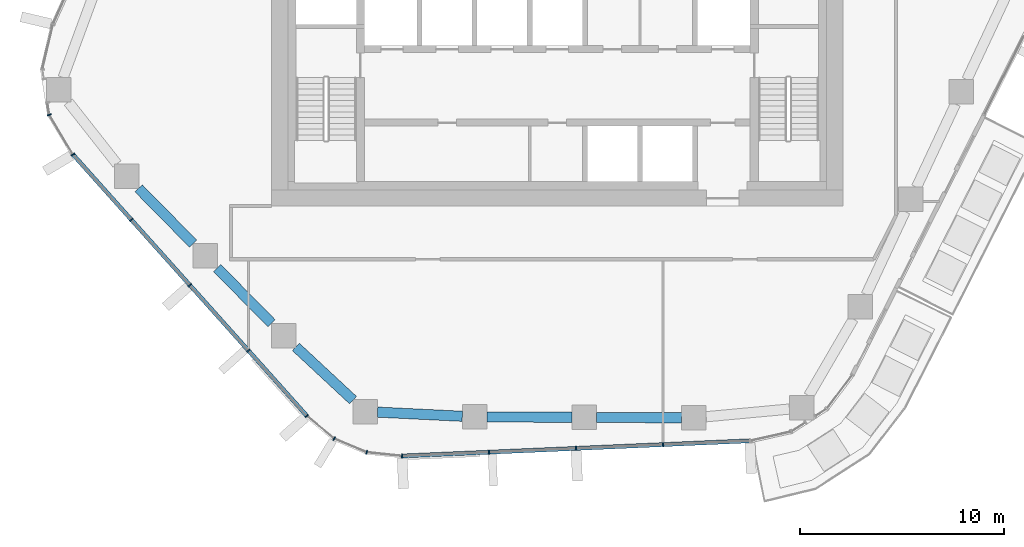
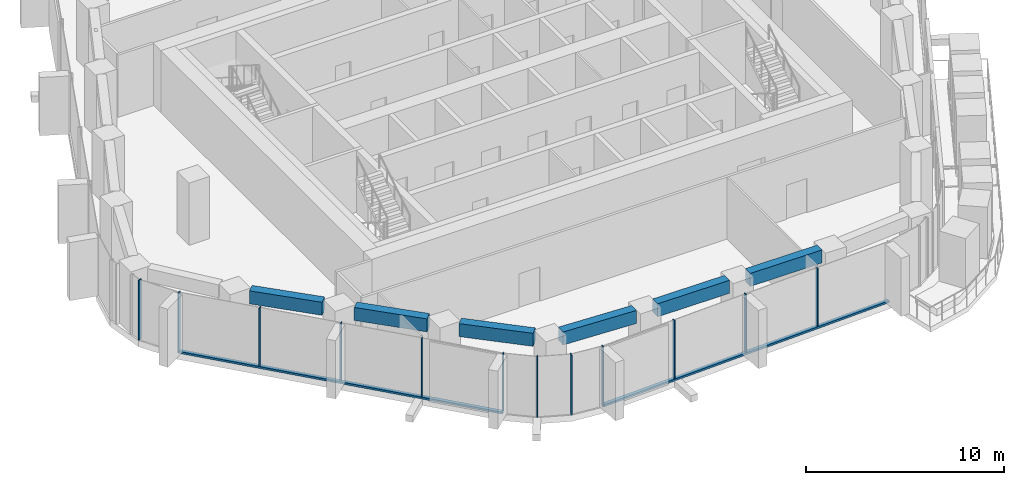
# One storey, part 2 of 17: 14 members, 6 beams, 4 elements without a shape of their own.
"""IFC4 building model written with IfcOpenShell, lengths in metres."""

import ifcopenshell
import ifcopenshell.guid

model = None  # the IFC model being written
_history = None  # IfcOwnerHistory: only IFC2X3 demands one
_inside = {}  # id of a spatial element -> (the spatial element, [elements in it])
_under = {}  # id of a project, library or spatial element -> (it, [spatial elements below it])
_declared = {}  # id of a project -> (the project, [libraries it declares])
_typed = {}  # id of a type object -> (the type object, [elements of that type])
_made_of = {}  # id of a material, layer set ... -> (it, [elements and type objects made of it])


def new_model(schema):
    """Start an empty IFC model of exactly this schema.

    Asked for "IFC4X3", IfcOpenShell would pick the latest addendum, in which some entities
    have other attributes; the version numbers below select the first issue.
    IFC2X3 requires an IfcOwnerHistory on every rooted entity: one is made here for all.
    """
    global model, _history
    if schema == "IFC4X3":
        model = ifcopenshell.file(schema_version=(4, 3, 0, 0))
    else:
        model = ifcopenshell.file(schema=schema)
    _inside.clear()
    _under.clear()
    _declared.clear()
    _typed.clear()
    _made_of.clear()
    _history = None
    if model.schema == "IFC2X3":
        org = make("IfcOrganization", Name="unknown")
        user = make(
            "IfcPersonAndOrganization",
            ThePerson=make("IfcPerson", FamilyName="unknown"),
            TheOrganization=org,
        )
        app = make(
            "IfcApplication",
            ApplicationDeveloper=org,
            Version="unknown",
            ApplicationFullName="unknown",
            ApplicationIdentifier="unknown",
        )
        _history = make(
            "IfcOwnerHistory",
            OwningUser=user,
            OwningApplication=app,
            ChangeAction="ADDED",
            CreationDate=0,
        )
    return model


def make(cls, **values):
    """One entity of the class cls with the attributes given. An attribute that is None is left unset."""
    return model.create_entity(
        cls, **{name: value for name, value in values.items() if value is not None}
    )


def rooted(cls, **values):
    """An entity with a GlobalId (a new one), such as an element, a storey or a relation."""
    return make(cls, GlobalId=ifcopenshell.guid.new(), OwnerHistory=_history, **values)


def si_unit(unit_type, name, prefix=None):
    """IfcSIUnit, for example si_unit("LENGTHUNIT", "METRE", prefix="MILLI")."""
    return make("IfcSIUnit", UnitType=unit_type, Prefix=prefix, Name=name)


def assignment(units):
    """IfcUnitAssignment: the units of a project."""
    return None if units is None else make("IfcUnitAssignment", Units=units)


def point(xyz):
    """IfcCartesianPoint."""
    return None if xyz is None else make("IfcCartesianPoint", Coordinates=xyz)


def direction(xyz):
    """IfcDirection."""
    return None if xyz is None else make("IfcDirection", DirectionRatios=xyz)


def frame(location, z_axis=None, x_axis=None):
    """IfcAxis2Placement3D, a coordinate frame: its origin and axes. An axis left out is left unset."""
    return make(
        "IfcAxis2Placement3D",
        Location=point(location),
        Axis=direction(z_axis),
        RefDirection=direction(x_axis),
    )


def frame_2d(location, x_axis=None):
    """IfcAxis2Placement2D, a coordinate frame in the plane: its origin and x axis."""
    return make(
        "IfcAxis2Placement2D", Location=point(location), RefDirection=direction(x_axis)
    )


def origin():
    """The frame at (0, 0, 0) with its axes left unset."""
    return frame((0.0, 0.0, 0.0))


def origin_2d():
    """The frame at (0, 0) in the plane with its x axis left unset."""
    return frame_2d((0.0, 0.0))


def place(relative_to, where):
    """IfcLocalPlacement: puts the frame where relative to a parent placement (None: the world)."""
    return make(
        "IfcLocalPlacement", PlacementRelTo=relative_to, RelativePlacement=where
    )


def context(
    kind, dimensions, precision=None, world=None, true_north=None, identifier=None
):
    """IfcGeometricRepresentationContext, for example the 3D "Model" context."""
    return make(
        "IfcGeometricRepresentationContext",
        ContextIdentifier=identifier,
        ContextType=kind,
        CoordinateSpaceDimension=dimensions,
        Precision=precision,
        WorldCoordinateSystem=world,
        TrueNorth=true_north,
    )


def subcontext(parent, identifier, kind, view, scale=None):
    """IfcGeometricRepresentationSubContext, for example "Body" below "Model"."""
    return make(
        "IfcGeometricRepresentationSubContext",
        ContextIdentifier=identifier,
        ContextType=kind,
        ParentContext=parent,
        TargetScale=scale,
        TargetView=view,
    )


def project(units=None, contexts=None):
    """IfcProject with its units and contexts."""
    return rooted(
        "IfcProject",
        Name="project",
        RepresentationContexts=contexts,
        UnitsInContext=assignment(units),
    )


def spatial(cls, under=None, at=None, **own):
    """A site, building, storey or space (cls), placed at a placement, below another one or the project."""
    s = rooted(cls, ObjectPlacement=at, **own)
    if under is not None:
        _under.setdefault(under.id(), (under, []))[1].append(s)
    return s


def profile(cls, at=None, kind="AREA", **sizes):
    """A parametric profile (cls). Its sizes go by their IFC names, for example OverallWidth=200.0."""
    return make(cls, ProfileType=kind, Position=at, **sizes)


def rectangle(**sizes):
    """IfcRectangleProfileDef."""
    return profile("IfcRectangleProfileDef", **sizes)


def extrude(swept, where, along, depth):
    """IfcExtrudedAreaSolid: the profile swept, set in the frame where, extruded along a direction by depth."""
    return make(
        "IfcExtrudedAreaSolid",
        SweptArea=swept,
        Position=where,
        ExtrudedDirection=direction(along),
        Depth=depth,
    )


def shape(context_of_items, identifier, shape_type, items):
    """IfcShapeRepresentation: the items that make up one representation, for example the "Body"."""
    return make(
        "IfcShapeRepresentation",
        ContextOfItems=context_of_items,
        RepresentationIdentifier=identifier,
        RepresentationType=shape_type,
        Items=items,
    )


def material(Name=None, Category=None):
    """IfcMaterial."""
    return make("IfcMaterial", Name=Name, Category=Category)


def layer(
    of_material, thickness, ventilated=None, Name=None, Category=None, Priority=None
):
    """IfcMaterialLayer: one layer of a wall or slab, of a material (None: an air gap)."""
    return make(
        "IfcMaterialLayer",
        Material=of_material,
        LayerThickness=thickness,
        IsVentilated=ventilated,
        Name=Name,
        Category=Category,
        Priority=Priority,
    )


def layer_set(layers, Name=None):
    """IfcMaterialLayerSet."""
    return make("IfcMaterialLayerSet", MaterialLayers=layers, LayerSetName=Name)


def material_profile(
    of_material, cross_section, Name=None, Category=None, Priority=None
):
    """IfcMaterialProfile: a cross section and its material."""
    return make(
        "IfcMaterialProfile",
        Name=Name,
        Material=of_material,
        Profile=cross_section,
        Priority=Priority,
        Category=Category,
    )


def profile_set(profiles, Name=None, composite=None):
    """IfcMaterialProfileSet."""
    return make(
        "IfcMaterialProfileSet",
        Name=Name,
        MaterialProfiles=profiles,
        CompositeProfile=composite,
    )


def made_of(thing, what):
    """Note that an element or type object is made of a material, layer set ...; save() writes the relation."""
    if what is not None:
        _made_of.setdefault(what.id(), (what, []))[1].append(thing)
    return thing


def type_object(cls, material=None, **own):
    """A type object (cls), such as IfcWallType, which elements share."""
    return made_of(rooted(cls, **own), material)


def element(
    cls,
    number,
    at=None,
    inside=None,
    cuts=None,
    type_object=None,
    material=None,
    context=None,
    identifier="Body",
    shape_type=None,
    held_by="IfcProductDefinitionShape",
    body=None,
    shapes=None,
    **own,
):
    """One element of the class cls, such as IfcWall. Its Tag is "e" and its number.

    at: its placement. inside: the storey or other place that contains it. cuts: it is an
    opening in that element (IfcRelVoidsElement). A single representation is given by context,
    identifier, shape_type and body (its items); several are given by shapes. held_by: the class
    of the entity that holds the representations. save() writes the other relations.
    """
    e = rooted(cls, Tag="e%d" % number, ObjectPlacement=at, **own)
    if body is not None:
        shapes = [shape(context, identifier, shape_type, body)]
    if shapes is not None:
        e.Representation = make(held_by, Representations=shapes)
    if inside is not None:
        _inside.setdefault(inside.id(), (inside, []))[1].append(e)
    if cuts is not None:
        rooted(
            "IfcRelVoidsElement", RelatingBuildingElement=cuts, RelatedOpeningElement=e
        )
    if type_object is not None:
        _typed.setdefault(type_object.id(), (type_object, []))[1].append(e)
    return made_of(e, material)


def aggregate(whole, parts):
    """IfcRelAggregates: a whole, such as a stair, and the parts it consists of."""
    return rooted("IfcRelAggregates", RelatingObject=whole, RelatedObjects=parts)


def save(model, path):
    """Write the relations noted so far, then the file.

    IfcRelAggregates (storeys below a building ...), IfcRelContainedInSpatialStructure (elements
    in a storey), IfcRelDefinesByType, IfcRelAssociatesMaterial and IfcRelDeclares: one each for
    every whole, place, type object, material and project.
    """
    for whole, parts in _under.values():
        aggregate(whole, parts)
    for where, things in _inside.values():
        rooted(
            "IfcRelContainedInSpatialStructure",
            RelatedElements=things,
            RelatingStructure=where,
        )
    for kind, things in _typed.values():
        rooted("IfcRelDefinesByType", RelatedObjects=things, RelatingType=kind)
    for what, things in _made_of.values():
        rooted("IfcRelAssociatesMaterial", RelatedObjects=things, RelatingMaterial=what)
    for by, libraries in _declared.values():
        rooted("IfcRelDeclares", RelatingContext=by, RelatedDefinitions=libraries)
    model.write(path)


model = new_model("IFC4")

# Units and contexts
model_context = context("Model", 3, precision=1e-05, world=origin(), true_north=direction((0.0, 1.0)))
body_context = subcontext(model_context, "Body", "Model", "MODEL_VIEW")
ifc_project = project(units=[si_unit("LENGTHUNIT", "METRE"), si_unit("AREAUNIT", "SQUARE_METRE"), si_unit("VOLUMEUNIT", "CUBIC_METRE"), si_unit("PLANEANGLEUNIT", "RADIAN"), si_unit("MASSUNIT", "GRAM", prefix="KILO")], contexts=[model_context])

# Site, building, storey
site_placement = place(None, origin())
site = spatial("IfcSite", under=ifc_project, at=site_placement, CompositionType="ELEMENT")
building_placement = place(site_placement, origin())
building = spatial("IfcBuilding", under=site, at=building_placement, Name="Dongbaek Canopy Tower", CompositionType="ELEMENT")
storey_placement = place(building_placement, frame((0.0, 0.0, 175.39990234375)))
storey = spatial("IfcBuildingStorey", under=building, at=storey_placement, Name="L38", CompositionType="ELEMENT", Elevation=175.39990234375)

# Curtain wall, members
ifc_material_1 = material(Name="Aluminium 6063-T6 pale anodised", Category="aluminium")
ifc_layer = layer(ifc_material_1, 0.199951171875)
ifc_layer_set = layer_set([ifc_layer], Name="CW-1 unitised tower curtain wall")
curtain_wall_type = type_object("IfcCurtainWallType", Name="CW-1 unitised tower curtain wall", PredefinedType="NOTDEFINED", material=ifc_layer_set)
curtain_wall_1_placement = place(storey_placement, origin())
curtain_wall_1 = element("IfcCurtainWall", 1, at=curtain_wall_1_placement, inside=storey, type_object=curtain_wall_type, Name="CW-1 curtain wall K3.1b", PredefinedType="NOTDEFINED")
ifc_material_2 = material(Name="Aluminium 6063-T6 pale anodised", Category="aluminium")
ifc_material_profile_1 = material_profile(ifc_material_2, rectangle(XDim=0.199951171875, YDim=0.06005859375, at=origin_2d()), Name="CW-1 mullion 60 x 200")
ifc_profile_set_1 = profile_set([ifc_material_profile_1], Name="Aluminium 6063-T6 pale anodised")
member_type_1 = type_object("IfcMemberType", Name="CW-1 mullion 60 x 200", PredefinedType="MULLION", material=ifc_profile_set_1)
member_1_placement = place(storey_placement, frame((-24.892822265625, -6.522216796875, 0.0), z_axis=(0.0, 0.0, 1.0), x_axis=(-0.94105791196, -0.33824548236, 0.0)))
member_1 = element("IfcMember", 2, at=member_1_placement, type_object=member_type_1, Name="CW-1 mullion K3.1b.2", PredefinedType="MULLION", context=body_context, shape_type="SweptSolid", body=[
    extrude(rectangle(XDim=0.199951171875, YDim=0.06005859375, at=origin_2d()), origin(), (0.0, 0.0, 1.0), 3.7001953125),
])
member_2_placement = place(storey_placement, frame((-23.732666015625, -8.46875, 0.0), z_axis=(0.0, 0.0, 1.0), x_axis=(-0.858991947801, -0.511989095209, 0.0)))
member_2 = element("IfcMember", 3, at=member_2_placement, type_object=member_type_1, Name="CW-1 mullion K3.1b.3", PredefinedType="MULLION", context=body_context, shape_type="SweptSolid", body=[
    extrude(rectangle(XDim=0.199951171875, YDim=0.06005859375, at=origin_2d()), origin(), (0.0, 0.0, 1.0), 3.7001953125),
])
aggregate(curtain_wall_1, [member_1, member_2])

curtain_wall_2_placement = place(storey_placement, origin())
curtain_wall_2 = element("IfcCurtainWall", 4, at=curtain_wall_2_placement, inside=storey, type_object=curtain_wall_type, Name="CW-1 curtain wall F3.1", PredefinedType="NOTDEFINED")
member_3_placement = place(storey_placement, frame((-20.871337890625, -11.66650390625, 0.1201171875), z_axis=(0.0, 0.0, 1.0), x_axis=(-0.745210570308, -0.666829217942, 0.0)))
member_3 = element("IfcMember", 5, at=member_3_placement, type_object=member_type_1, Name="CW-1 mullion F3.1.2", PredefinedType="MULLION", context=body_context, shape_type="SweptSolid", body=[
    extrude(rectangle(XDim=0.199951171875, YDim=0.06005859375, at=origin_2d()), origin(), (0.0, 0.0, 1.0), 3.580078125),
])
member_4_placement = place(storey_placement, frame((-18.00341796875, -14.871337890625, 0.1201171875), z_axis=(0.0, 0.0, 1.0), x_axis=(-0.745210570308, -0.666829217942, 0.0)))
member_4 = element("IfcMember", 6, at=member_4_placement, type_object=member_type_1, Name="CW-1 mullion F3.1.3", PredefinedType="MULLION", context=body_context, shape_type="SweptSolid", body=[
    extrude(rectangle(XDim=0.199951171875, YDim=0.06005859375, at=origin_2d()), origin(), (0.0, 0.0, 1.0), 3.580078125),
])
member_5_placement = place(storey_placement, frame((-15.135498046875, -18.076416015625, 0.1201171875), z_axis=(0.0, 0.0, 1.0), x_axis=(-0.745210570308, -0.666829217942, 0.0)))
member_5 = element("IfcMember", 7, at=member_5_placement, type_object=member_type_1, Name="CW-1 mullion F3.1.4", PredefinedType="MULLION", context=body_context, shape_type="SweptSolid", body=[
    extrude(rectangle(XDim=0.199951171875, YDim=0.06005859375, at=origin_2d()), origin(), (0.0, 0.0, 1.0), 3.580078125),
])
member_6_placement = place(storey_placement, frame((-12.2724609375, -21.27587890625, 0.1201171875), z_axis=(0.0, 0.0, 1.0), x_axis=(-0.745210570308, -0.666829217942, 0.0)))
member_6 = element("IfcMember", 8, at=member_6_placement, type_object=member_type_1, Name="CW-1 mullion F3.1.5", PredefinedType="MULLION", context=body_context, shape_type="SweptSolid", body=[
    extrude(rectangle(XDim=0.199951171875, YDim=0.06005859375, at=origin_2d()), origin(), (0.0, 0.0, 1.0), 3.580078125),
])

curtain_wall_3_placement = place(storey_placement, origin())
curtain_wall_3 = element("IfcCurtainWall", 9, at=curtain_wall_3_placement, inside=storey, type_object=curtain_wall_type, Name="CW-1 curtain wall K4.1", PredefinedType="NOTDEFINED")
member_7_placement = place(storey_placement, frame((-10.93408203125, -22.388427734375, 0.0), z_axis=(0.0, 0.0, 1.0), x_axis=(-0.519286368933, -0.854600296654, 0.0)))
member_7 = element("IfcMember", 10, at=member_7_placement, type_object=member_type_1, Name="CW-1 mullion K4.1.2", PredefinedType="MULLION", context=body_context, shape_type="SweptSolid", body=[
    extrude(rectangle(XDim=0.199951171875, YDim=0.06005859375, at=origin_2d()), origin(), (0.0, 0.0, 1.0), 3.7001953125),
])
member_8_placement = place(storey_placement, frame((-9.3369140625, -23.06103515625, 0.0), z_axis=(0.0, 0.0, 1.0), x_axis=(-0.248547897881, -0.968619606687, 0.0)))
member_8 = element("IfcMember", 11, at=member_8_placement, type_object=member_type_1, Name="CW-1 mullion K4.1.3", PredefinedType="MULLION", context=body_context, shape_type="SweptSolid", body=[
    extrude(rectangle(XDim=0.199951171875, YDim=0.06005859375, at=origin_2d()), origin(), (0.0, 0.0, 1.0), 3.7001953125),
])
member_9_placement = place(storey_placement, frame((-7.60595703125, -23.2412109375, 0.0), z_axis=(0.0, 0.0, 1.0), x_axis=(-0.103577283883, -0.994621408509, 0.0)))
member_9 = element("IfcMember", 12, at=member_9_placement, type_object=member_type_1, Name="CW-1 mullion K4.1.4", PredefinedType="MULLION", context=body_context, shape_type="SweptSolid", body=[
    extrude(rectangle(XDim=0.199951171875, YDim=0.06005859375, at=origin_2d()), origin(), (0.0, 0.0, 1.0), 3.7001953125),
])
aggregate(curtain_wall_3, [member_7, member_8, member_9])

curtain_wall_4_placement = place(storey_placement, origin())
curtain_wall_4 = element("IfcCurtainWall", 13, at=curtain_wall_4_placement, inside=storey, type_object=curtain_wall_type, Name="CW-1 curtain wall F4.1", PredefinedType="NOTDEFINED")
member_10_placement = place(storey_placement, frame((-3.347900390625, -23.05517578125, 0.1201171875), z_axis=(0.0, 0.0, 1.0), x_axis=(0.043640187851, -0.999047313196, 0.0)))
member_10 = element("IfcMember", 14, at=member_10_placement, type_object=member_type_1, Name="CW-1 mullion F4.1.2", PredefinedType="MULLION", context=body_context, shape_type="SweptSolid", body=[
    extrude(rectangle(XDim=0.199951171875, YDim=0.06005859375, at=origin_2d()), origin(), (0.0, 0.0, 1.0), 3.580078125),
])
member_11_placement = place(storey_placement, frame((0.91748046875, -22.868896484375, 0.1201171875), z_axis=(0.0, 0.0, 1.0), x_axis=(0.043640187851, -0.999047313196, 0.0)))
member_11 = element("IfcMember", 15, at=member_11_placement, type_object=member_type_1, Name="CW-1 mullion F4.1.3", PredefinedType="MULLION", context=body_context, shape_type="SweptSolid", body=[
    extrude(rectangle(XDim=0.199951171875, YDim=0.06005859375, at=origin_2d()), origin(), (0.0, 0.0, 1.0), 3.580078125),
])
member_12_placement = place(storey_placement, frame((5.18310546875, -22.6826171875, 0.1201171875), z_axis=(0.0, 0.0, 1.0), x_axis=(0.043640187851, -0.999047313196, 0.0)))
member_12 = element("IfcMember", 16, at=member_12_placement, type_object=member_type_1, Name="CW-1 mullion F4.1.4", PredefinedType="MULLION", context=body_context, shape_type="SweptSolid", body=[
    extrude(rectangle(XDim=0.199951171875, YDim=0.06005859375, at=origin_2d()), origin(), (0.0, 0.0, 1.0), 3.580078125),
])

# Member
ifc_material_3 = material(Name="Aluminium 6063-T6 pale anodised", Category="aluminium")
ifc_material_profile_2 = material_profile(ifc_material_3, rectangle(XDim=0.199951171875, YDim=0.1201171875, at=origin_2d()), Name="CW-1 transom 120 x 200")
ifc_profile_set_2 = profile_set([ifc_material_profile_2], Name="Aluminium 6063-T6 pale anodised")
member_type_2 = type_object("IfcMemberType", Name="CW-1 transom 120 x 200", PredefinedType="USERDEFINED", material=ifc_profile_set_2)
member_13_placement = place(storey_placement, frame((-23.732666015625, -8.46875, 0.06005859375), z_axis=(0.666833476439, -0.745206759699, 0.0), x_axis=(0.745206759699, 0.666833476439, 0.0)))
member_13 = element("IfcMember", 17, at=member_13_placement, type_object=member_type_2, Name="CW-1 transom F3.1.1", ObjectType="TRANSOM", PredefinedType="USERDEFINED", context=body_context, shape_type="SweptSolid", body=[
    extrude(rectangle(XDim=0.199951171875, YDim=0.1201171875, at=origin_2d()), origin(), (0.0, 0.0, 1.0), 17.18603515625),
])

aggregate(curtain_wall_2, [member_3, member_4, member_5, member_6, member_13])

member_14_placement = place(storey_placement, frame((-7.60595703125, -23.2412109375, 0.06005859375), z_axis=(0.999047200773, 0.04364276146, 0.0), x_axis=(-0.04364276146, 0.999047200773, 0.0)))
member_14 = element("IfcMember", 18, at=member_14_placement, type_object=member_type_2, Name="CW-1 transom F4.1.1", ObjectType="TRANSOM", PredefinedType="USERDEFINED", context=body_context, shape_type="SweptSolid", body=[
    extrude(rectangle(XDim=0.199951171875, YDim=0.1201171875, at=origin_2d()), origin(), (0.0, 0.0, 1.0), 17.06201171875),
])

aggregate(curtain_wall_4, [member_10, member_11, member_12, member_14])

# Beams
ifc_material_4 = material(Name="Concrete C70", Category="concrete")
ifc_material_profile_3 = material_profile(ifc_material_4, rectangle(XDim=0.5, YDim=0.800048828125, at=origin_2d()), Name="RC EDGE BEAM 500x800 C70")
ifc_profile_set_3 = profile_set([ifc_material_profile_3], Name="Concrete C70")
beam_type = type_object("IfcBeamType", Name="RC EDGE BEAM 500x800 C70", PredefinedType="BEAM", material=ifc_profile_set_3)
beam_1_placement = place(storey_placement, frame((6.097900390625, -21.369384765625, 3.420166015625), z_axis=(-0.999989872655, 0.004500509685, 0.0), x_axis=(-0.004500509685, -0.999989872655, 0.0)))
element("IfcBeam", 19, at=beam_1_placement, inside=storey, type_object=beam_type, Name="EDGEBEAM:L38:01", PredefinedType="BEAM", context=body_context, shape_type="SweptSolid", body=[
    extrude(rectangle(XDim=0.5, YDim=0.800048828125, at=origin_2d()), origin(), (0.0, 0.0, 1.0), 4.177001953125),
])
beam_2_placement = place(storey_placement, frame((0.720947265625, -21.34521484375, 3.420166015625), z_axis=(-0.999990129376, 0.004443101423, 0.0), x_axis=(-0.004443101423, -0.999990129376, 0.0)))
element("IfcBeam", 20, at=beam_2_placement, inside=storey, type_object=beam_type, Name="EDGEBEAM:L38:02", PredefinedType="BEAM", context=body_context, shape_type="SweptSolid", body=[
    extrude(rectangle(XDim=0.5, YDim=0.800048828125, at=origin_2d()), origin(), (0.0, 0.0, 1.0), 4.176025390625),
])
beam_3_placement = place(storey_placement, frame((-4.655029296875, -21.29443359375, 3.420166015625), z_axis=(-0.998797460552, 0.04902685789, 0.0), x_axis=(-0.04902685789, -0.998797460552, 0.0)))
element("IfcBeam", 21, at=beam_3_placement, inside=storey, type_object=beam_type, Name="EDGEBEAM:L38:03", PredefinedType="BEAM", context=body_context, shape_type="SweptSolid", body=[
    extrude(rectangle(XDim=0.5, YDim=0.800048828125, at=origin_2d()), origin(), (0.0, 0.0, 1.0), 4.157958984375),
])
beam_4_placement = place(storey_placement, frame((-10.008056640625, -20.5029296875, 3.420166015625), z_axis=(-0.732259249265, 0.681025984722, 0.0), x_axis=(-0.681025984722, -0.732259249265, 0.0)))
element("IfcBeam", 22, at=beam_4_placement, inside=storey, type_object=beam_type, Name="EDGEBEAM:L38:04", PredefinedType="BEAM", context=body_context, shape_type="SweptSolid", body=[
    extrude(rectangle(XDim=0.5, YDim=0.800048828125, at=origin_2d()), origin(), (0.0, 0.0, 1.0), 3.826416015625),
])
beam_5_placement = place(storey_placement, frame((-14.0009765625, -16.739013671875, 3.420166015625), z_axis=(-0.701688575516, 0.71248378437, 0.0), x_axis=(-0.71248378437, -0.701688575516, 0.0)))
element("IfcBeam", 23, at=beam_5_placement, inside=storey, type_object=beam_type, Name="EDGEBEAM:L38:05", PredefinedType="BEAM", context=body_context, shape_type="SweptSolid", body=[
    extrude(rectangle(XDim=0.5, YDim=0.800048828125, at=origin_2d()), origin(), (0.0, 0.0, 1.0), 3.79931640625),
])
beam_6_placement = place(storey_placement, frame((-17.848876953125, -12.83203125, 3.420166015625), z_axis=(-0.701721192392, 0.712451660218, 0.0), x_axis=(-0.712451660218, -0.701721192392, 0.0)))
element("IfcBeam", 24, at=beam_6_placement, inside=storey, type_object=beam_type, Name="EDGEBEAM:L38:06", PredefinedType="BEAM", context=body_context, shape_type="SweptSolid", body=[
    extrude(rectangle(XDim=0.5, YDim=0.800048828125, at=origin_2d()), origin(), (0.0, 0.0, 1.0), 3.799560546875),
])

save(model, "model.ifc")
